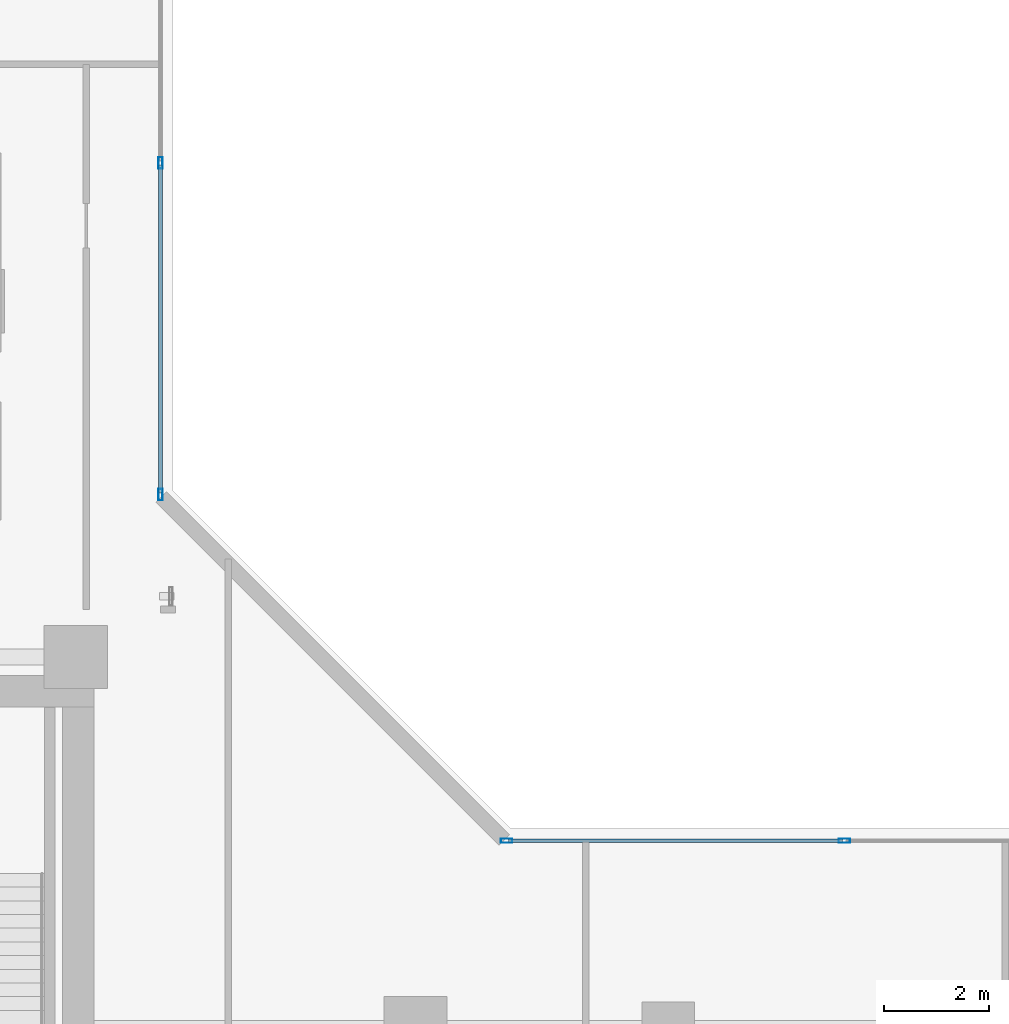
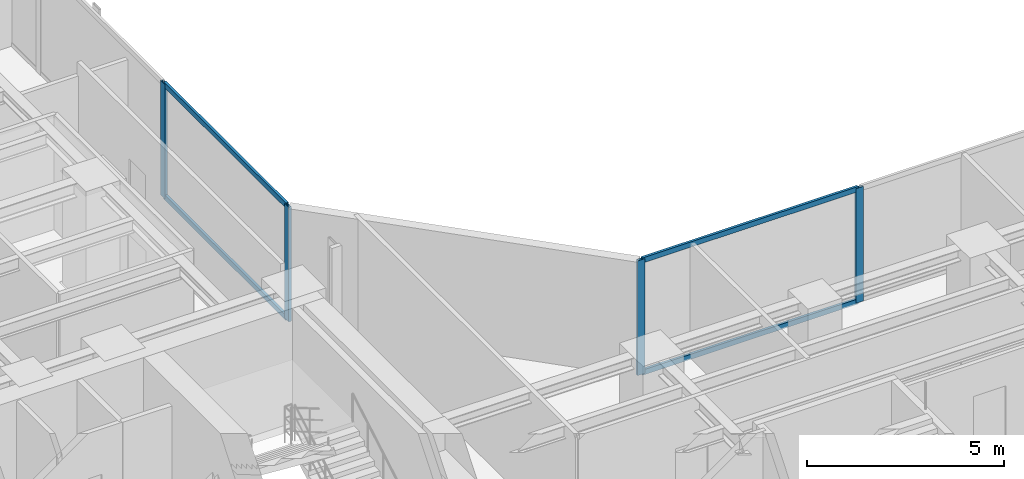
# One storey, part 9 of 24: 8 members, 2 elements without a shape of their own.
"""IFC4 building model written with IfcOpenShell, lengths in metres."""

from ifc_helpers import new_model, si_unit, direction, frame, origin, origin_with_axes, origin_2d, place, context, subcontext, project, spatial, hollow_rectangle, extrude, source, transform, mapped, material, layer, layer_set, material_profile, profile_set, type_object, element, aggregate, save


model = new_model("IFC4")

# Units and contexts
model_context = context("Model", 3, precision=1e-05, world=origin(), true_north=direction((0.0, 1.0)))
body_context = subcontext(model_context, "Body", "Model", "MODEL_VIEW")
ifc_project = project(units=[si_unit("LENGTHUNIT", "METRE"), si_unit("AREAUNIT", "SQUARE_METRE"), si_unit("VOLUMEUNIT", "CUBIC_METRE"), si_unit("PLANEANGLEUNIT", "RADIAN"), si_unit("MASSUNIT", "GRAM", prefix="KILO")], contexts=[model_context])

# Site, building, storey
site_placement = place(None, origin())
site = spatial("IfcSite", under=ifc_project, at=site_placement, CompositionType="ELEMENT")
building_placement = place(site_placement, origin())
building = spatial("IfcBuilding", under=site, at=building_placement, Name="Kolvaren Waterfront Exchange", CompositionType="ELEMENT")
storey_placement = place(building_placement, frame((0.0, 0.0, 172.800048828125)))
storey = spatial("IfcBuildingStorey", under=building, at=storey_placement, Name="L44", CompositionType="ELEMENT", Elevation=172.800048828125)

# Curtain wall, members
ifc_material_1 = material(Name="Anodised bronze aluminium 6063-T6", Category="aluminium")
ifc_layer = layer(ifc_material_1, 0.219970703125, Name="Anodised bronze aluminium 6063-T6")
ifc_layer_set = layer_set([ifc_layer], Name="Anodised bronze aluminium 6063-T6")
curtain_wall_type = type_object("IfcCurtainWallType", Name="ARC-CW-SYS1", PredefinedType="USERDEFINED", material=ifc_layer_set)
curtain_wall_1_placement = place(storey_placement, origin())
curtain_wall_1 = element("IfcCurtainWall", 1, at=curtain_wall_1_placement, inside=storey, type_object=curtain_wall_type, Name="L44 stick curtain wall CW1 (CW-L44-NE)", ObjectType="STICK CURTAIN WALL", PredefinedType="USERDEFINED")
ifc_material_2 = material(Name="Anodised aluminium 6063-T6", Category="aluminium")
ifc_material_profile_1 = material_profile(ifc_material_2, hollow_rectangle(XDim=0.080078125, YDim=0.219970703125, WallThickness=0.0048828125, at=origin_2d()), Name="ALU-MUL-220x80x5")
ifc_profile_set_1 = profile_set([ifc_material_profile_1], Name="Anodised aluminium 6063-T6")
member_type_1 = type_object("IfcMemberType", Name="ARC-CWM-220", PredefinedType="MULLION", material=ifc_profile_set_1)
shared_shape_1 = source(origin_with_axes(), body_context, "Body", "SweptSolid", [
    extrude(hollow_rectangle(XDim=0.080078125, YDim=0.219970703125, WallThickness=0.0048828125, at=origin_2d()), origin(), (0.0, 0.0, 1.0), 3.56005859375),
])
member_1_placement = place(storey_placement, frame((22.360107421875, 27.530029296875, 0.0), z_axis=(0.0, 0.0, 1.0), x_axis=(-1.0, 0.0, 0.0)))
member_1 = element("IfcMember", 2, at=member_1_placement, type_object=member_type_1, Name="CW1 mullion 1", PredefinedType="MULLION", context=body_context, shape_type="MappedRepresentation", body=[
    mapped(shared_shape_1, transform((0.0, 0.0, 0.0), x_axis=(1.0, 0.0, 0.0), y_axis=(0.0, 1.0, 0.0), z_axis=(0.0, 0.0, 1.0), scale=1.0)),
])
member_2_placement = place(storey_placement, frame((22.360107421875, 33.82666015625, 0.0), z_axis=(0.0, 0.0, 1.0), x_axis=(-1.0, 0.0, 0.0)))
member_2 = element("IfcMember", 3, at=member_2_placement, type_object=member_type_1, Name="CW1 mullion 2", PredefinedType="MULLION", context=body_context, shape_type="MappedRepresentation", body=[
    mapped(shared_shape_1, transform((0.0, 0.0, 0.0), x_axis=(1.0, 0.0, 0.0), y_axis=(0.0, 1.0, 0.0), z_axis=(0.0, 0.0, 1.0), scale=1.0)),
])

curtain_wall_2_placement = place(storey_placement, origin())
curtain_wall_2 = element("IfcCurtainWall", 4, at=curtain_wall_2_placement, inside=storey, type_object=curtain_wall_type, Name="L44 stick curtain wall CW1 (CW-L44-EN)", ObjectType="STICK CURTAIN WALL", PredefinedType="USERDEFINED")
member_3_placement = place(storey_placement, frame((28.929931640625, 20.9599609375, 0.0), z_axis=(0.0, 0.0, 1.0), x_axis=(0.0, 1.0, 0.0)))
member_3 = element("IfcMember", 5, at=member_3_placement, type_object=member_type_1, Name="CW1 mullion 1", PredefinedType="MULLION", context=body_context, shape_type="MappedRepresentation", body=[
    mapped(shared_shape_1, transform((0.0, 0.0, 0.0), x_axis=(1.0, 0.0, 0.0), y_axis=(0.0, 1.0, 0.0), z_axis=(0.0, 0.0, 1.0), scale=1.0)),
])
member_4_placement = place(storey_placement, frame((35.342529296875, 20.9599609375, 0.0), z_axis=(0.0, 0.0, 1.0), x_axis=(0.0, 1.0, 0.0)))
member_4 = element("IfcMember", 6, at=member_4_placement, type_object=member_type_1, Name="CW1 mullion 2", PredefinedType="MULLION", context=body_context, shape_type="MappedRepresentation", body=[
    mapped(shared_shape_1, transform((0.0, 0.0, 0.0), x_axis=(1.0, 0.0, 0.0), y_axis=(0.0, 1.0, 0.0), z_axis=(0.0, 0.0, 1.0), scale=1.0)),
])

# Member
ifc_material_profile_2 = material_profile(ifc_material_2, hollow_rectangle(XDim=0.074951171875, YDim=0.159912109375, WallThickness=0.00439453125, at=origin_2d()), Name="ALU-TRN-160x75x4.5")
ifc_profile_set_2 = profile_set([ifc_material_profile_2], Name="Anodised aluminium 6063-T6")
member_type_2 = type_object("IfcMemberType", Name="ARC-CWT-160", PredefinedType="USERDEFINED", material=ifc_profile_set_2)
shared_shape_2 = source(origin_with_axes(), body_context, "Body", "SweptSolid", [
    extrude(hollow_rectangle(XDim=0.074951171875, YDim=0.159912109375, WallThickness=0.00439453125, at=origin_2d()), origin(), (0.0, 0.0, 1.0), 6.216552734375),
])
member_5_placement = place(storey_placement, frame((22.360107421875, 27.570068359375, 0.037353515625), z_axis=(0.0, 1.0, 0.0), x_axis=(-1.0, 0.0, 0.0)))
member_5 = element("IfcMember", 7, at=member_5_placement, type_object=member_type_2, Name="CW1 transom 1.1", ObjectType="TRANSOM", PredefinedType="USERDEFINED", context=body_context, shape_type="MappedRepresentation", body=[
    mapped(shared_shape_2, transform((0.0, 0.0, 0.0), x_axis=(1.0, 0.0, 0.0), y_axis=(0.0, 1.0, 0.0), z_axis=(0.0, 0.0, 1.0), scale=1.0)),
])

member_6_placement = place(storey_placement, frame((22.360107421875, 27.570068359375, 3.5224609375), z_axis=(0.0, 1.0, 0.0), x_axis=(-1.0, 0.0, 0.0)))
member_6 = element("IfcMember", 8, at=member_6_placement, type_object=member_type_2, Name="CW1 transom 1.2", ObjectType="TRANSOM", PredefinedType="USERDEFINED", context=body_context, shape_type="MappedRepresentation", body=[
    mapped(shared_shape_2, transform((0.0, 0.0, 0.0), x_axis=(1.0, 0.0, 0.0), y_axis=(0.0, 1.0, 0.0), z_axis=(0.0, 0.0, 1.0), scale=1.0)),
])

aggregate(curtain_wall_1, [member_1, member_2, member_5, member_6])

shared_shape_3 = source(origin_with_axes(), body_context, "Body", "SweptSolid", [
    extrude(hollow_rectangle(XDim=0.074951171875, YDim=0.159912109375, WallThickness=0.00439453125, at=origin_2d()), origin(), (0.0, 0.0, 1.0), 6.33251953125),
])
member_7_placement = place(storey_placement, frame((28.969970703125, 20.9599609375, 0.037353515625), z_axis=(1.0, 0.0, 0.0), x_axis=(0.0, 1.0, 0.0)))
member_7 = element("IfcMember", 9, at=member_7_placement, type_object=member_type_2, Name="CW1 transom 1.1", ObjectType="TRANSOM", PredefinedType="USERDEFINED", context=body_context, shape_type="MappedRepresentation", body=[
    mapped(shared_shape_3, transform((0.0, 0.0, 0.0), x_axis=(1.0, 0.0, 0.0), y_axis=(0.0, 1.0, 0.0), z_axis=(0.0, 0.0, 1.0), scale=1.0)),
])

member_8_placement = place(storey_placement, frame((28.969970703125, 20.9599609375, 3.5224609375), z_axis=(1.0, 0.0, 0.0), x_axis=(0.0, 1.0, 0.0)))
member_8 = element("IfcMember", 10, at=member_8_placement, type_object=member_type_2, Name="CW1 transom 1.2", ObjectType="TRANSOM", PredefinedType="USERDEFINED", context=body_context, shape_type="MappedRepresentation", body=[
    mapped(shared_shape_3, transform((0.0, 0.0, 0.0), x_axis=(1.0, 0.0, 0.0), y_axis=(0.0, 1.0, 0.0), z_axis=(0.0, 0.0, 1.0), scale=1.0)),
])

aggregate(curtain_wall_2, [member_3, member_4, member_7, member_8])

save(model, "model.ifc")
